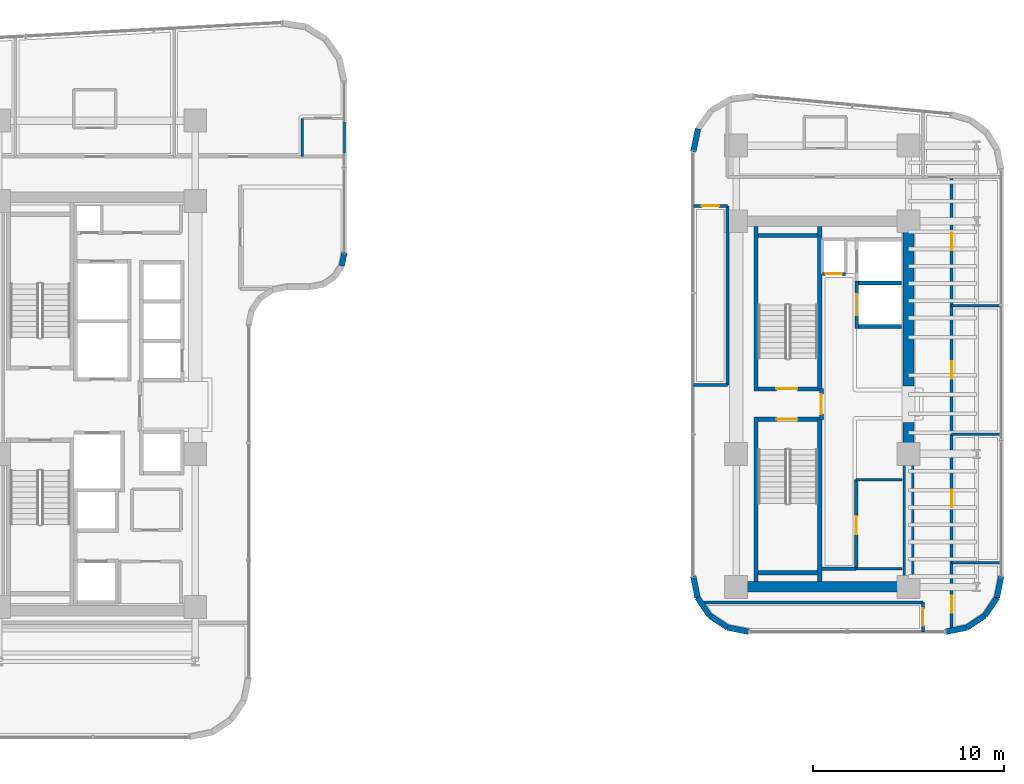
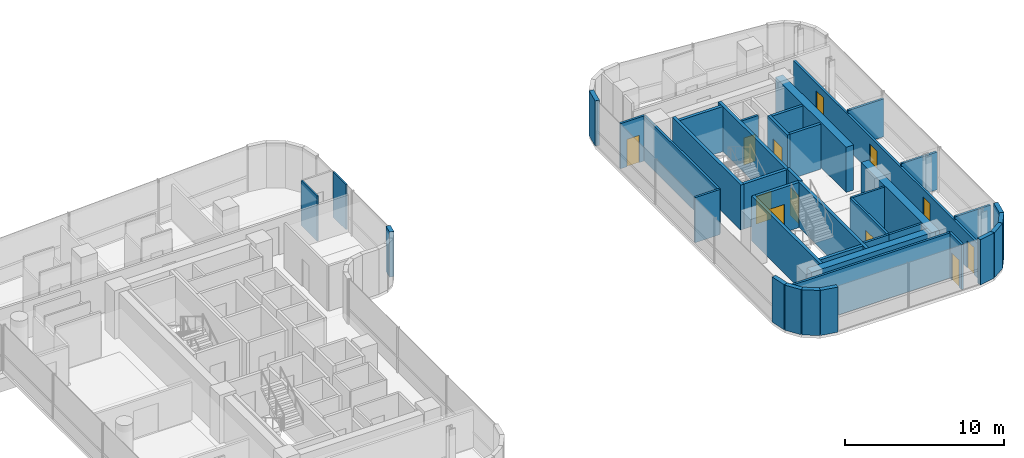
# One storey, part 27 of 33: 41 walls, 12 doors, 12 openings.
"""IFC4 building model written with IfcOpenShell, lengths in metres."""

from ifc_helpers import new_model, si_unit, direction, frame, frame_2d, origin, place, context, subcontext, project, spatial, rectangle, extrude, material, layer, layer_set, type_object, element, fill, save


model = new_model("IFC4")

# Units and contexts
model_context = context("Model", 3, precision=1e-05, world=origin(), true_north=direction((0.0, 1.0)))
body_context = subcontext(model_context, "Body", "Model", "MODEL_VIEW")
ifc_project = project(units=[si_unit("LENGTHUNIT", "METRE"), si_unit("AREAUNIT", "SQUARE_METRE"), si_unit("VOLUMEUNIT", "CUBIC_METRE"), si_unit("PLANEANGLEUNIT", "RADIAN"), si_unit("MASSUNIT", "GRAM", prefix="KILO")], contexts=[model_context])

# Site, building, storey
site_placement = place(None, origin())
site = spatial("IfcSite", under=ifc_project, at=site_placement, CompositionType="ELEMENT")
building_placement = place(site_placement, origin())
building = spatial("IfcBuilding", under=site, at=building_placement, Name="Valdorenza Pilgrim Sanctuary Tower", CompositionType="ELEMENT")
storey_placement = place(building_placement, frame((0.0, 0.0, 157.5)))
storey = spatial("IfcBuildingStorey", under=building, at=storey_placement, Name="L40", CompositionType="ELEMENT", Elevation=157.5)

# Wall, opening, door
ifc_material_1 = material(Name="Acoustic twin-stud gypsum partition", Category="gypsum")
ifc_layer_1 = layer(ifc_material_1, 0.159912109375, Name="Acoustic twin-stud gypsum partition")
ifc_layer_set_1 = layer_set([ifc_layer_1], Name="Acoustic twin-stud gypsum partition")
wall_type_1 = type_object("IfcWallType", Name="WAL-COR-160", PredefinedType="PARTITIONING", material=ifc_layer_set_1)
wall_1_placement = place(storey_placement, frame((20.35009765625, 6.800048828125, 0.0), z_axis=(0.0, 0.0, 1.0), x_axis=(1.0, 0.0, 0.0)))
wall_1 = element("IfcWall", 1, at=wall_1_placement, inside=storey, type_object=wall_type_1, Name="L40 Core B Riser South Wall", PredefinedType="PARTITIONING", context=body_context, shape_type="SweptSolid", body=[
    extrude(rectangle(XDim=1.199951171875, YDim=0.159912109375, at=frame_2d((0.60009765625, 0.0))), origin(), (0.0, 0.0, 1.0), 3.4599609375),
])
opening_1_placement = place(wall_1_placement, frame((0.175048828125, 0.0, 0.0)))
opening_1 = element("IfcOpeningElement", 2, at=opening_1_placement, cuts=wall_1, Name="Opening DR-RS1", PredefinedType="OPENING", context=body_context, shape_type="SweptSolid", body=[
    extrude(rectangle(XDim=0.85009765625, YDim=2.050048828125, at=frame_2d((0.425048828125, 1.02490234375))), frame((0.0, 0.0947265625, 0.0), z_axis=(0.0, -1.0, 0.0), x_axis=(1.0, 0.0, 0.0)), (0.0, 0.0, 1.0), 0.189697265625),
])
ifc_material_2 = material(Name="Painted galvanized steel", Category="steel")
door_type_1 = type_object("IfcDoorType", Name="DR-RSR-850", OperationType="NOTDEFINED", PredefinedType="DOOR", material=ifc_material_2)
door_1_placement = place(opening_1_placement, origin())
door_1 = element("IfcDoor", 3, at=door_1_placement, inside=storey, type_object=door_type_1, Name="L40 Core B Electrical Riser Door", OperationType="SINGLE_SWING_RIGHT", OverallHeight=2.050048828125, OverallWidth=0.85009765625, PredefinedType="DOOR", context=body_context, shape_type="SweptSolid", body=[
    extrude(rectangle(XDim=0.85009765625, YDim=2.050048828125, at=frame_2d((0.425048828125, 1.02490234375))), frame((0.0, 0.02490234375, 0.0), z_axis=(0.0, -1.0, 0.0), x_axis=(1.0, 0.0, 0.0)), (0.0, 0.0, 1.0), 0.050048828125),
])
fill(opening_1, door_1)

# Wall
wall_2_placement = place(storey_placement, frame((20.300048828125, -8.60009765625, 0.0), z_axis=(0.0, 0.0, 1.0), x_axis=(1.0, 0.0, 0.0)))
element("IfcWall", 4, at=wall_2_placement, inside=storey, type_object=wall_type_1, Name="L40 Core B Lift Hall South End Wall", PredefinedType="PARTITIONING", context=body_context, shape_type="SweptSolid", body=[
    extrude(rectangle(XDim=1.820068359375, YDim=0.159912109375, at=frame_2d((0.91015625, 0.0))), origin(), (0.0, 0.0, 1.0), 3.4599609375),
])

# Wall, opening, door
wall_3_placement = place(storey_placement, frame((22.1201171875, -8.60009765625, 0.0), z_axis=(0.0, 0.0, 1.0), x_axis=(0.0, 1.0, 0.0)))
wall_3 = element("IfcWall", 5, at=wall_3_placement, inside=storey, type_object=wall_type_1, Name="L40 Core B Freed Shaft West Wall", PredefinedType="PARTITIONING", context=body_context, shape_type="SweptSolid", body=[
    extrude(rectangle(XDim=4.650146484375, YDim=0.159912109375, at=frame_2d((2.3251953125, 0.0))), origin(), (0.0, 0.0, 1.0), 3.4599609375),
])
opening_2_placement = place(wall_3_placement, frame((1.800048828125, 0.0, 0.0)))
opening_2 = element("IfcOpeningElement", 6, at=opening_2_placement, cuts=wall_3, Name="Opening DR-UN1", PredefinedType="OPENING", context=body_context, shape_type="SweptSolid", body=[
    extrude(rectangle(XDim=0.949951171875, YDim=2.14990234375, at=frame_2d((0.47509765625, 1.074951171875))), frame((0.0, 0.0947265625, 0.0), z_axis=(0.0, -1.0, 0.0), x_axis=(1.0, 0.0, 0.0)), (0.0, 0.0, 1.0), 0.189697265625),
])
ifc_material_3 = material(Name="Solid-core European oak timber", Category="wood")
door_type_2 = type_object("IfcDoorType", Name="DR-UNIT-950", OperationType="NOTDEFINED", PredefinedType="DOOR", material=ifc_material_3)
door_2_placement = place(opening_2_placement, origin())
door_2 = element("IfcDoor", 7, at=door_2_placement, inside=storey, type_object=door_type_2, Name="L40 East Core Linen Store Door", OperationType="SINGLE_SWING_LEFT", OverallHeight=2.14990234375, OverallWidth=0.949951171875, PredefinedType="DOOR", context=body_context, shape_type="SweptSolid", body=[
    extrude(rectangle(XDim=0.949951171875, YDim=2.14990234375, at=frame_2d((0.47509765625, 1.074951171875))), frame((0.0, 0.02490234375, 0.0), z_axis=(0.0, -1.0, 0.0), x_axis=(1.0, 0.0, 0.0)), (0.0, 0.0, 1.0), 0.050048828125),
])
fill(opening_2, door_2)

wall_4_placement = place(storey_placement, frame((25.60009765625, -11.889892578125, 0.0), z_axis=(0.0, 0.0, 1.0), x_axis=(0.0, 1.0, 0.0)))
wall_4 = element("IfcWall", 8, at=wall_4_placement, inside=storey, type_object=wall_type_1, Name="L40 Wing B South-East Wall", PredefinedType="PARTITIONING", context=body_context, shape_type="SweptSolid", body=[
    extrude(rectangle(XDim=1.539794921875, YDim=0.159912109375, at=frame_2d((0.77001953125, 0.0))), origin(), (0.0, 0.0, 1.0), 3.4599609375),
])
opening_3_placement = place(wall_4_placement, frame((0.320068359375, 0.0, 0.0)))
opening_3 = element("IfcOpeningElement", 9, at=opening_3_placement, cuts=wall_4, Name="Opening DR-RM1", PredefinedType="OPENING", context=body_context, shape_type="SweptSolid", body=[
    extrude(rectangle(XDim=0.89990234375, YDim=2.10009765625, at=frame_2d((0.449951171875, 1.050048828125))), frame((0.0, 0.0947265625, 0.0), z_axis=(0.0, -1.0, 0.0), x_axis=(1.0, 0.0, 0.0)), (0.0, 0.0, 1.0), 0.189697265625),
])
door_type_3 = type_object("IfcDoorType", Name="DR-ROOM-900", OperationType="NOTDEFINED", PredefinedType="DOOR", material=ifc_material_3)
door_3_placement = place(opening_3_placement, origin())
door_3 = element("IfcDoor", 10, at=door_3_placement, inside=storey, type_object=door_type_3, Name="L40 Sacred Manuscript Archive L40-BS Door", OperationType="SINGLE_SWING_RIGHT", OverallHeight=2.10009765625, OverallWidth=0.89990234375, PredefinedType="DOOR", context=body_context, shape_type="SweptSolid", body=[
    extrude(rectangle(XDim=0.89990234375, YDim=2.10009765625, at=frame_2d((0.449951171875, 1.050048828125))), frame((0.0, 0.02490234375, 0.0), z_axis=(0.0, -1.0, 0.0), x_axis=(1.0, 0.0, 0.0)), (0.0, 0.0, 1.0), 0.050048828125),
])
fill(opening_3, door_3)

# Wall
wall_5_placement = place(storey_placement, frame((14.14599609375, -10.35009765625, 0.0), z_axis=(0.0, 0.0, 1.0), x_axis=(1.0, 0.0, 0.0)))
element("IfcWall", 11, at=wall_5_placement, inside=storey, type_object=wall_type_1, Name="L40 Wing B South Closure", PredefinedType="PARTITIONING", context=body_context, shape_type="SweptSolid", body=[
    extrude(rectangle(XDim=11.4541015625, YDim=0.159912109375, at=frame_2d((5.72705078125, 0.0))), origin(), (0.0, 0.0, 1.0), 3.4599609375),
])

# Wall, openings, doors
wall_6_placement = place(storey_placement, frame((27.10009765625, -11.70068359375, 0.0), z_axis=(0.0, 0.0, 1.0), x_axis=(0.0, 1.0, 0.0)))
wall_6 = element("IfcWall", 12, at=wall_6_placement, inside=storey, type_object=wall_type_1, Name="L40 Wing B East Corridor Wall", PredefinedType="PARTITIONING", context=body_context, shape_type="SweptSolid", body=[
    extrude(rectangle(XDim=23.55078125, YDim=0.159912109375, at=frame_2d((11.775390625, 0.0))), origin(), (0.0, 0.0, 1.0), 2.666015625),
])
opening_4_placement = place(wall_6_placement, frame((0.800048828125, 0.0, 0.0)))
opening_4 = element("IfcOpeningElement", 13, at=opening_4_placement, cuts=wall_6, Name="Opening DR-RM1", PredefinedType="OPENING", context=body_context, shape_type="SweptSolid", body=[
    extrude(rectangle(XDim=0.89990234375, YDim=2.10009765625, at=frame_2d((0.449951171875, 1.050048828125))), frame((0.0, 0.0947265625, 0.0), z_axis=(0.0, -1.0, 0.0), x_axis=(1.0, 0.0, 0.0)), (0.0, 0.0, 1.0), 0.189697265625),
])
opening_5_placement = place(wall_6_placement, frame((6.320068359375, 0.0, 0.0)))
opening_5 = element("IfcOpeningElement", 14, at=opening_5_placement, cuts=wall_6, Name="Opening DR-RM1", PredefinedType="OPENING", context=body_context, shape_type="SweptSolid", body=[
    extrude(rectangle(XDim=0.89990234375, YDim=2.10009765625, at=frame_2d((0.449951171875, 1.050048828125))), frame((0.0, 0.0947265625, 0.0), z_axis=(0.0, -1.0, 0.0), x_axis=(1.0, 0.0, 0.0)), (0.0, 0.0, 1.0), 0.189697265625),
])
opening_6_placement = place(wall_6_placement, frame((13.031982421875, 0.0, 0.0)))
opening_6 = element("IfcOpeningElement", 15, at=opening_6_placement, cuts=wall_6, Name="Opening DR-RM1", PredefinedType="OPENING", context=body_context, shape_type="SweptSolid", body=[
    extrude(rectangle(XDim=0.89990234375, YDim=2.10009765625, at=frame_2d((0.449951171875, 1.050048828125))), frame((0.0, 0.0947265625, 0.0), z_axis=(0.0, -1.0, 0.0), x_axis=(1.0, 0.0, 0.0)), (0.0, 0.0, 1.0), 0.189697265625),
])
opening_7_placement = place(wall_6_placement, frame((19.7451171875, 0.0, 0.0)))
opening_7 = element("IfcOpeningElement", 16, at=opening_7_placement, cuts=wall_6, Name="Opening DR-RM1", PredefinedType="OPENING", context=body_context, shape_type="SweptSolid", body=[
    extrude(rectangle(XDim=0.89990234375, YDim=2.10009765625, at=frame_2d((0.449951171875, 1.050048828125))), frame((0.0, 0.0947265625, 0.0), z_axis=(0.0, -1.0, 0.0), x_axis=(1.0, 0.0, 0.0)), (0.0, 0.0, 1.0), 0.189697265625),
])
door_4_placement = place(opening_4_placement, origin())
door_4 = element("IfcDoor", 17, at=door_4_placement, inside=storey, type_object=door_type_3, Name="L40 East Sanctuary Scholar Office L40-EG1 Door", OperationType="SINGLE_SWING_RIGHT", OverallHeight=2.10009765625, OverallWidth=0.89990234375, PredefinedType="DOOR", context=body_context, shape_type="SweptSolid", body=[
    extrude(rectangle(XDim=0.89990234375, YDim=2.10009765625, at=frame_2d((0.449951171875, 1.050048828125))), frame((0.0, 0.02490234375, 0.0), z_axis=(0.0, -1.0, 0.0), x_axis=(1.0, 0.0, 0.0)), (0.0, 0.0, 1.0), 0.050048828125),
])
fill(opening_4, door_4)
door_5_placement = place(opening_5_placement, frame((0.89990234375, 0.0, 0.0), z_axis=(0.0, 0.0, 1.0), x_axis=(-1.0, 0.0, 0.0)))
door_5 = element("IfcDoor", 18, at=door_5_placement, inside=storey, type_object=door_type_3, Name="L40 East Sanctuary Scholar Office L40-EG2 Door", OperationType="SINGLE_SWING_LEFT", OverallHeight=2.10009765625, OverallWidth=0.89990234375, PredefinedType="DOOR", context=body_context, shape_type="SweptSolid", body=[
    extrude(rectangle(XDim=0.89990234375, YDim=2.10009765625, at=frame_2d((0.449951171875, 1.050048828125))), frame((0.0, 0.02490234375, 0.0), z_axis=(0.0, -1.0, 0.0), x_axis=(1.0, 0.0, 0.0)), (0.0, 0.0, 1.0), 0.050048828125),
])
fill(opening_5, door_5)
door_6_placement = place(opening_6_placement, origin())
door_6 = element("IfcDoor", 19, at=door_6_placement, inside=storey, type_object=door_type_3, Name="L40 East Sanctuary Scholar Office L40-EG3 Door", OperationType="SINGLE_SWING_RIGHT", OverallHeight=2.10009765625, OverallWidth=0.89990234375, PredefinedType="DOOR", context=body_context, shape_type="SweptSolid", body=[
    extrude(rectangle(XDim=0.89990234375, YDim=2.10009765625, at=frame_2d((0.449951171875, 1.050048828125))), frame((0.0, 0.02490234375, 0.0), z_axis=(0.0, -1.0, 0.0), x_axis=(1.0, 0.0, 0.0)), (0.0, 0.0, 1.0), 0.050048828125),
])
fill(opening_6, door_6)
door_7_placement = place(opening_7_placement, frame((0.89990234375, 0.0, 0.0), z_axis=(0.0, 0.0, 1.0), x_axis=(-1.0, 0.0, 0.0)))
door_7 = element("IfcDoor", 20, at=door_7_placement, inside=storey, type_object=door_type_3, Name="L40 East Sanctuary Scholar Office L40-EG4 Door", OperationType="SINGLE_SWING_LEFT", OverallHeight=2.10009765625, OverallWidth=0.89990234375, PredefinedType="DOOR", context=body_context, shape_type="SweptSolid", body=[
    extrude(rectangle(XDim=0.89990234375, YDim=2.10009765625, at=frame_2d((0.449951171875, 1.050048828125))), frame((0.0, 0.02490234375, 0.0), z_axis=(0.0, -1.0, 0.0), x_axis=(1.0, 0.0, 0.0)), (0.0, 0.0, 1.0), 0.050048828125),
])
fill(opening_7, door_7)

# Wall, opening, door
wall_7_placement = place(storey_placement, frame((13.610107421875, 10.35009765625, 0.0), z_axis=(0.0, 0.0, 1.0), x_axis=(1.0, 0.0, 0.0)))
wall_7 = element("IfcWall", 21, at=wall_7_placement, inside=storey, type_object=wall_type_1, Name="L40 Courtyard Overlook North Wall", PredefinedType="PARTITIONING", context=body_context, shape_type="SweptSolid", body=[
    extrude(rectangle(XDim=1.789794921875, YDim=0.159912109375, at=frame_2d((0.89501953125, 0.0))), origin(), (0.0, 0.0, 1.0), 3.4599609375),
])
opening_8_placement = place(wall_7_placement, frame((0.449951171875, 0.0, 0.0)))
opening_8 = element("IfcOpeningElement", 22, at=opening_8_placement, cuts=wall_7, Name="Opening DR-RM1", PredefinedType="OPENING", context=body_context, shape_type="SweptSolid", body=[
    extrude(rectangle(XDim=0.89990234375, YDim=2.10009765625, at=frame_2d((0.449951171875, 1.050048828125))), frame((0.0, 0.0947265625, 0.0), z_axis=(0.0, -1.0, 0.0), x_axis=(1.0, 0.0, 0.0)), (0.0, 0.0, 1.0), 0.189697265625),
])
door_8_placement = place(opening_8_placement, origin())
door_8 = element("IfcDoor", 23, at=door_8_placement, inside=storey, type_object=door_type_3, Name="L40 Courtyard Overlook Salon Door", OperationType="SINGLE_SWING_RIGHT", OverallHeight=2.10009765625, OverallWidth=0.89990234375, PredefinedType="DOOR", context=body_context, shape_type="SweptSolid", body=[
    extrude(rectangle(XDim=0.89990234375, YDim=2.10009765625, at=frame_2d((0.449951171875, 1.050048828125))), frame((0.0, 0.02490234375, 0.0), z_axis=(0.0, -1.0, 0.0), x_axis=(1.0, 0.0, 0.0)), (0.0, 0.0, 1.0), 0.050048828125),
])
fill(opening_8, door_8)

# Walls
wall_8_placement = place(storey_placement, frame((15.39990234375, 1.0, 0.0), z_axis=(0.0, 0.0, 1.0), x_axis=(0.0, 1.0, 0.0)))
element("IfcWall", 24, at=wall_8_placement, inside=storey, type_object=wall_type_1, Name="L40 Courtyard Overlook East Wall", PredefinedType="PARTITIONING", context=body_context, shape_type="SweptSolid", body=[
    extrude(rectangle(XDim=9.35009765625, YDim=0.159912109375, at=frame_2d((4.675048828125, 0.0))), origin(), (0.0, 0.0, 1.0), 3.4599609375),
])
wall_9_placement = place(storey_placement, frame((13.610107421875, 1.0, 0.0), z_axis=(0.0, 0.0, 1.0), x_axis=(1.0, 0.0, 0.0)))
element("IfcWall", 25, at=wall_9_placement, inside=storey, type_object=wall_type_1, Name="L40 Courtyard Overlook South Wall", PredefinedType="PARTITIONING", context=body_context, shape_type="SweptSolid", body=[
    extrude(rectangle(XDim=1.789794921875, YDim=0.159912109375, at=frame_2d((0.89501953125, 0.0))), origin(), (0.0, 0.0, 1.0), 3.4599609375),
])
ifc_material_4 = material(Name="Concrete C50/60", Category="concrete")
ifc_layer_2 = layer(ifc_material_4, 0.550048828125, Name="Concrete C50/60")
ifc_layer_set_2 = layer_set([ifc_layer_2], Name="Concrete C50/60")
wall_type_2 = type_object("IfcWallType", Name="WAL-COR-550", PredefinedType="SHEAR", material=ifc_layer_set_2)
for number, where, z_axis, x_axis, name in (
    (26, (24.85009765625, -9.824951171875, 0.0), (0.0, 0.0, 1.0), (0.0, 1.0, 0.0), "L40 Split Core B Shear Wall ES"),
    (27, (24.85009765625, 0.949951171875, 0.0), (0.0, 0.0, 1.0), (0.0, 1.0, 0.0), "L40 Split Core B Shear Wall EN"),
):
    element("IfcWall", number, at=place(storey_placement, frame(where, z_axis=z_axis, x_axis=x_axis)), inside=storey, type_object=wall_type_2, Name=name, PredefinedType="SHEAR", context=body_context, shape_type="SweptSolid", body=[
        extrude(rectangle(XDim=8.875, YDim=0.550048828125, at=frame_2d((4.4375, 0.0))), origin(), (0.0, 0.0, 1.0), 3.4599609375),
    ])
wall_10_placement = place(storey_placement, frame((15.85009765625, -9.550048828125, 0.0), z_axis=(0.0, 0.0, 1.0), x_axis=(1.0, 0.0, 0.0)))
element("IfcWall", 28, at=wall_10_placement, inside=storey, type_object=wall_type_2, Name="L40 Split Core B Shear Wall S", PredefinedType="SHEAR", context=body_context, shape_type="SweptSolid", body=[
    extrude(rectangle(XDim=9.0, YDim=0.550048828125, at=frame_2d((4.5, 0.0))), origin(), (0.0, 0.0, 1.0), 3.4599609375),
])
ifc_material_5 = material(Name="Honed travertine limestone", Category="masonry")
ifc_layer_3 = layer(ifc_material_5, 0.300048828125, Name="Honed travertine limestone")
ifc_layer_set_3 = layer_set([ifc_layer_3], Name="Honed travertine limestone")
wall_type_3 = type_object("IfcWallType", Name="WAL-EXT-300", PredefinedType="SOLIDWALL", material=ifc_layer_set_3)
wall_11_placement = place(storey_placement, frame((-4.610107421875, 7.910888671875, 0.0), z_axis=(0.0, 0.0, 1.0), x_axis=(-0.194989739953, -0.980805282058, 0.0)))
element("IfcWall", 29, at=wall_11_placement, inside=storey, type_object=wall_type_3, Name="L40 Rounded Wind-Corner Stone Pier 12", PredefinedType="SOLIDWALL", context=body_context, shape_type="SweptSolid", body=[
    extrude(rectangle(XDim=0.708740234375, YDim=0.300048828125, at=frame_2d((0.3544921875, 0.0))), origin(), (0.0, 0.0, 1.0), 3.4599609375),
])
wall_12_placement = place(storey_placement, frame((13.610107421875, 13.19970703125, 0.0), z_axis=(0.0, 0.0, 1.0), x_axis=(0.206133180315, 0.978523945529, 0.0)))
element("IfcWall", 30, at=wall_12_placement, inside=storey, type_object=wall_type_3, Name="L40 Rounded Wind-Corner Stone Pier 2", PredefinedType="SOLIDWALL", context=body_context, shape_type="SweptSolid", body=[
    extrude(rectangle(XDim=1.203369140625, YDim=0.300048828125, at=frame_2d((0.6015625, 0.0))), origin(), (0.0, 0.0, 1.0), 3.4599609375),
])
wall_13_placement = place(storey_placement, frame((29.68994140625, -8.9892578125, 0.0), z_axis=(0.0, 0.0, 1.0), x_axis=(-0.195043173023, -0.980794657743, 0.0)))
element("IfcWall", 31, at=wall_13_placement, inside=storey, type_object=wall_type_3, Name="L40 Rounded Wind-Corner Stone Pier 12", PredefinedType="SOLIDWALL", context=body_context, shape_type="SweptSolid", body=[
    extrude(rectangle(XDim=1.137939453125, YDim=0.300048828125, at=frame_2d((0.56884765625, 0.0))), origin(), (0.0, 0.0, 1.0), 3.4599609375),
])
for number, where, z_axis, x_axis, name in (
    (32, (29.468017578125, -10.105224609375, 0.0), (0.0, 0.0, 1.0), (-0.555599979619, -0.831449735491, 0.0), "L40 Rounded Wind-Corner Stone Pier 13"),
    (33, (28.842041015625, -11.0419921875, 0.0), (0.0, 0.0, 1.0), (-0.831449735491, -0.555599979619, 0.0), "L40 Rounded Wind-Corner Stone Pier 14"),
):
    element("IfcWall", number, at=place(storey_placement, frame(where, z_axis=z_axis, x_axis=x_axis)), inside=storey, type_object=wall_type_3, Name=name, PredefinedType="SOLIDWALL", context=body_context, shape_type="SweptSolid", body=[
        extrude(rectangle(XDim=1.126708984375, YDim=0.300048828125, at=frame_2d((0.5634765625, 0.0))), origin(), (0.0, 0.0, 1.0), 3.4599609375),
    ])
for number, where, z_axis, x_axis, name in (
    (34, (27.9052734375, -11.66796875, 0.0), (0.0, 0.0, 1.0), (-0.980794657743, -0.195043173023, 0.0), "L40 Rounded Wind-Corner Stone Pier 15"),
    (35, (16.5107421875, -11.889892578125, 0.0), (0.0, 0.0, 1.0), (-0.980794657743, 0.195043173023, 0.0), "L40 Rounded Wind-Corner Stone Pier 17"),
):
    element("IfcWall", number, at=place(storey_placement, frame(where, z_axis=z_axis, x_axis=x_axis)), inside=storey, type_object=wall_type_3, Name=name, PredefinedType="SOLIDWALL", context=body_context, shape_type="SweptSolid", body=[
        extrude(rectangle(XDim=1.137939453125, YDim=0.300048828125, at=frame_2d((0.56884765625, 0.0))), origin(), (0.0, 0.0, 1.0), 3.4599609375),
    ])
for number, where, z_axis, x_axis, name in (
    (36, (15.394775390625, -11.66796875, 0.0), (0.0, 0.0, 1.0), (-0.831449735491, 0.555599979619, 0.0), "L40 Rounded Wind-Corner Stone Pier 18"),
    (37, (14.4580078125, -11.0419921875, 0.0), (0.0, 0.0, 1.0), (-0.555599979619, 0.831449735491, 0.0), "L40 Rounded Wind-Corner Stone Pier 19"),
):
    element("IfcWall", number, at=place(storey_placement, frame(where, z_axis=z_axis, x_axis=x_axis)), inside=storey, type_object=wall_type_3, Name=name, PredefinedType="SOLIDWALL", context=body_context, shape_type="SweptSolid", body=[
        extrude(rectangle(XDim=1.126708984375, YDim=0.300048828125, at=frame_2d((0.5634765625, 0.0))), origin(), (0.0, 0.0, 1.0), 3.4599609375),
    ])
wall_14_placement = place(storey_placement, frame((13.83203125, -10.105224609375, 0.0), z_axis=(0.0, 0.0, 1.0), x_axis=(-0.195043173023, 0.980794657743, 0.0)))
element("IfcWall", 38, at=wall_14_placement, inside=storey, type_object=wall_type_3, Name="L40 Rounded Wind-Corner Stone Pier 20", PredefinedType="SOLIDWALL", context=body_context, shape_type="SweptSolid", body=[
    extrude(rectangle(XDim=1.137939453125, YDim=0.300048828125, at=frame_2d((0.56884765625, 0.0))), origin(), (0.0, 0.0, 1.0), 3.4599609375),
])

# Wall, opening, door
ifc_material_6 = material(Name="Gypsum shaftwall partition", Category="gypsum")
ifc_layer_4 = layer(ifc_material_6, 0.199951171875, Name="Gypsum shaftwall partition")
ifc_layer_set_4 = layer_set([ifc_layer_4], Name="Gypsum shaftwall partition")
wall_type_4 = type_object("IfcWallType", Name="WAL-FFL-200", PredefinedType="PARTITIONING", material=ifc_layer_set_4)
wall_15_placement = place(storey_placement, frame((20.300048828125, -0.820068359375, 0.0), z_axis=(0.0, 0.0, 1.0), x_axis=(0.0, 1.0, 0.0)))
wall_15 = element("IfcWall", 39, at=wall_15_placement, inside=storey, type_object=wall_type_4, Name="L40 Core B Firefighting Lobby East Wall", PredefinedType="PARTITIONING", context=body_context, shape_type="SweptSolid", body=[
    extrude(rectangle(XDim=1.64013671875, YDim=0.199951171875, at=frame_2d((0.820068359375, 0.0))), origin(), (0.0, 0.0, 1.0), 3.4599609375),
])
opening_9_placement = place(wall_15_placement, frame((0.294921875, 0.0, 0.0)))
opening_9 = element("IfcOpeningElement", 40, at=opening_9_placement, cuts=wall_15, Name="Opening DR-FL1", PredefinedType="OPENING", context=body_context, shape_type="SweptSolid", body=[
    extrude(rectangle(XDim=1.050048828125, YDim=2.14990234375, at=frame_2d((0.52490234375, 1.074951171875))), frame((0.0, 0.11474609375, 0.0), z_axis=(0.0, -1.0, 0.0), x_axis=(1.0, 0.0, 0.0)), (0.0, 0.0, 1.0), 0.229736328125),
])
door_type_4 = type_object("IfcDoorType", Name="DR-FFL-1050", OperationType="NOTDEFINED", PredefinedType="DOOR", material=ifc_material_2)
door_9_placement = place(opening_9_placement, frame((1.050048828125, 0.0, 0.0), z_axis=(0.0, 0.0, 1.0), x_axis=(-1.0, 0.0, 0.0)))
door_9 = element("IfcDoor", 41, at=door_9_placement, inside=storey, type_object=door_type_4, Name="L40 Core B Firefighting Lobby Door", OperationType="SINGLE_SWING_LEFT", OverallHeight=2.14990234375, OverallWidth=1.050048828125, PredefinedType="DOOR", context=body_context, shape_type="SweptSolid", body=[
    extrude(rectangle(XDim=1.050048828125, YDim=2.14990234375, at=frame_2d((0.52490234375, 1.074951171875))), frame((0.0, 0.02490234375, 0.0), z_axis=(0.0, -1.0, 0.0), x_axis=(1.0, 0.0, 0.0)), (0.0, 0.0, 1.0), 0.050048828125),
])
fill(opening_9, door_9)

# Walls
ifc_material_7 = material(Name="Moisture-resistant gypsum partition", Category="gypsum")
ifc_layer_5 = layer(ifc_material_7, 0.1201171875, Name="Moisture-resistant gypsum partition")
ifc_layer_set_5 = layer_set([ifc_layer_5], Name="Moisture-resistant gypsum partition")
wall_type_5 = type_object("IfcWallType", Name="WAL-INT-120", PredefinedType="PARTITIONING", material=ifc_layer_set_5)
wall_16_placement = place(storey_placement, frame((-6.81005859375, 12.919921875, 0.0), z_axis=(0.0, 0.0, 1.0), x_axis=(0.0, 1.0, 0.0)))
element("IfcWall", 42, at=wall_16_placement, inside=storey, type_object=wall_type_5, Name="L40 North Guest Room L40-N3 En-suite West Wall", PredefinedType="PARTITIONING", context=body_context, shape_type="SweptSolid", body=[
    extrude(rectangle(XDim=2.0, YDim=0.1201171875, at=frame_2d((1.0, 0.0))), origin(), (0.0, 0.0, 1.0), 3.4599609375),
])
wall_17_placement = place(storey_placement, frame((-4.610107421875, 13.1201171875, 0.0), z_axis=(0.0, 0.0, 1.0), x_axis=(0.0, 1.0, 0.0)))
element("IfcWall", 43, at=wall_17_placement, inside=storey, type_object=wall_type_5, Name="L40 NW-G3-ENS Enclosure Wall E", PredefinedType="PARTITIONING", context=body_context, shape_type="SweptSolid", body=[
    extrude(rectangle(XDim=1.619873046875, YDim=0.1201171875, at=frame_2d((0.81005859375, 0.0))), origin(), (0.0, 0.0, 1.0), 3.4599609375),
])

# Wall, opening, door
ifc_material_8 = material(Name="Autoclaved aerated concrete blockwork", Category="masonry")
ifc_layer_6 = layer(ifc_material_8, 0.199951171875, Name="Autoclaved aerated concrete blockwork")
ifc_layer_set_6 = layer_set([ifc_layer_6], Name="Autoclaved aerated concrete blockwork")
wall_type_6 = type_object("IfcWallType", Name="WAL-SHF-200", PredefinedType="MOVABLE", material=ifc_layer_set_6)
wall_18_placement = place(storey_placement, frame((22.14990234375, 3.949951171875, 0.0), z_axis=(0.0, 0.0, 1.0), x_axis=(0.0, 1.0, 0.0)))
wall_18 = element("IfcWall", 44, at=wall_18_placement, inside=storey, type_object=wall_type_6, Name="L40 Lift PL-07 Hoistway Wall West", PredefinedType="MOVABLE", context=body_context, shape_type="SweptSolid", body=[
    extrude(rectangle(XDim=2.47509765625, YDim=0.199951171875, at=frame_2d((1.237548828125, 0.0))), origin(), (0.0, 0.0, 1.0), 3.4599609375),
])
opening_10_placement = place(wall_18_placement, frame((0.6875, 0.0, 0.0)))
opening_10 = element("IfcOpeningElement", 45, at=opening_10_placement, cuts=wall_18, Name="Opening LD-01", PredefinedType="OPENING", context=body_context, shape_type="SweptSolid", body=[
    extrude(rectangle(XDim=1.10009765625, YDim=2.10009765625, at=frame_2d((0.550048828125, 1.050048828125))), frame((0.0, 0.11474609375, 0.0), z_axis=(0.0, -1.0, 0.0), x_axis=(1.0, 0.0, 0.0)), (0.0, 0.0, 1.0), 0.229736328125),
])
ifc_material_9 = material(Name="Brushed stainless steel Grade 316", Category="steel")
door_type_5 = type_object("IfcDoorType", Name="DR-LFT-1100", OperationType="DOUBLE_DOOR_SLIDING", PredefinedType="DOOR", material=ifc_material_9)
door_10_placement = place(opening_10_placement, origin())
door_10 = element("IfcDoor", 46, at=door_10_placement, inside=storey, type_object=door_type_5, Name="L40 Lift PL-07 Sliding Landing Door", OperationType="DOUBLE_DOOR_SLIDING", OverallHeight=2.10009765625, OverallWidth=1.10009765625, PredefinedType="DOOR", context=body_context, shape_type="SweptSolid", body=[
    extrude(rectangle(XDim=1.10009765625, YDim=2.10009765625, at=frame_2d((0.550048828125, 1.050048828125))), frame((0.0, 0.02490234375, 0.0), z_axis=(0.0, -1.0, 0.0), x_axis=(1.0, 0.0, 0.0)), (0.0, 0.0, 1.0), 0.050048828125),
])
fill(opening_10, door_10)

# Walls
for number, where, z_axis, x_axis, name in (
    (47, (22.25, 4.050048828125, 0.0), (0.0, 0.0, 1.0), (1.0, 0.0, 0.0), "L40 Lift PL-07 Hoistway Wall South"),
    (48, (22.25, 6.324951171875, 0.0), (0.0, 0.0, 1.0), (1.0, 0.0, 0.0), "L40 Lift PL-07 Hoistway Wall North"),
):
    element("IfcWall", number, at=place(storey_placement, frame(where, z_axis=z_axis, x_axis=x_axis)), inside=storey, type_object=wall_type_6, Name=name, PredefinedType="MOVABLE", context=body_context, shape_type="SweptSolid", body=[
        extrude(rectangle(XDim=2.22998046875, YDim=0.199951171875, at=frame_2d((1.114990234375, 0.0))), origin(), (0.0, 0.0, 1.0), 3.4599609375),
    ])
ifc_material_10 = material(Name="Concrete C40/50", Category="concrete")
ifc_layer_7 = layer(ifc_material_10, 0.219970703125, Name="Concrete C40/50")
ifc_layer_set_7 = layer_set([ifc_layer_7], Name="Concrete C40/50")
wall_type_7 = type_object("IfcWallType", Name="WAL-STR-SHF-220", PredefinedType="SHEAR", material=ifc_layer_set_7)
for number, where, z_axis, x_axis, name in (
    (49, (16.889892578125, 0.679931640625, 0.0), (0.0, 0.0, 1.0), (0.0, 1.0, 0.0), "L40 ST-B1 Structural Stairwell Wall W"),
    (50, (20.219970703125, 0.679931640625, 0.0), (0.0, 0.0, 1.0), (0.0, 1.0, 0.0), "L40 ST-B1 Structural Stairwell Wall E"),
):
    element("IfcWall", number, at=place(storey_placement, frame(where, z_axis=z_axis, x_axis=x_axis)), inside=storey, type_object=wall_type_7, Name=name, PredefinedType="SHEAR", context=body_context, shape_type="SweptSolid", body=[
        extrude(rectangle(XDim=8.594970703125, YDim=0.219970703125, at=frame_2d((4.29736328125, 0.0))), origin(), (0.0, 0.0, 1.0), 3.4599609375),
    ])

# Wall, opening, door
wall_19_placement = place(storey_placement, frame((17.0, 0.7900390625, 0.0), z_axis=(0.0, 0.0, 1.0), x_axis=(1.0, 0.0, 0.0)))
wall_19 = element("IfcWall", 51, at=wall_19_placement, inside=storey, type_object=wall_type_7, Name="L40 ST-B1 Structural Stairwell Wall S", PredefinedType="SHEAR", context=body_context, shape_type="SweptSolid", body=[
    extrude(rectangle(XDim=3.110107421875, YDim=0.219970703125, at=frame_2d((1.55517578125, 0.0))), origin(), (0.0, 0.0, 1.0), 3.4599609375),
])
opening_11_placement = place(wall_19_placement, frame((0.949951171875, 0.0, 0.0)))
opening_11 = element("IfcOpeningElement", 52, at=opening_11_placement, cuts=wall_19, Name="Opening DR-ST1", PredefinedType="OPENING", context=body_context, shape_type="SweptSolid", body=[
    extrude(rectangle(XDim=1.10009765625, YDim=2.14990234375, at=frame_2d((0.550048828125, 1.074951171875))), frame((0.0, 0.125, 0.0), z_axis=(0.0, -1.0, 0.0), x_axis=(1.0, 0.0, 0.0)), (0.0, 0.0, 1.0), 0.249755859375),
])
door_type_6 = type_object("IfcDoorType", Name="DR-STAIR-1100", OperationType="NOTDEFINED", PredefinedType="DOOR", material=ifc_material_2)
door_11_placement = place(opening_11_placement, origin())
door_11 = element("IfcDoor", 53, at=door_11_placement, inside=storey, type_object=door_type_6, Name="L40 Exit Stair ST-B1 Door", OperationType="SINGLE_SWING_RIGHT", OverallHeight=2.14990234375, OverallWidth=1.10009765625, PredefinedType="DOOR", context=body_context, shape_type="SweptSolid", body=[
    extrude(rectangle(XDim=1.10009765625, YDim=2.14990234375, at=frame_2d((0.550048828125, 1.074951171875))), frame((0.0, 0.02490234375, 0.0), z_axis=(0.0, -1.0, 0.0), x_axis=(1.0, 0.0, 0.0)), (0.0, 0.0, 1.0), 0.050048828125),
])
fill(opening_11, door_11)

# Walls
wall_20_placement = place(storey_placement, frame((17.0, 8.81005859375, 0.0), z_axis=(0.0, 0.0, 1.0), x_axis=(1.0, 0.0, 0.0)))
element("IfcWall", 54, at=wall_20_placement, inside=storey, type_object=wall_type_7, Name="L40 ST-B1 Structural Stairwell Wall N", PredefinedType="SHEAR", context=body_context, shape_type="SweptSolid", body=[
    extrude(rectangle(XDim=3.110107421875, YDim=0.219970703125, at=frame_2d((1.55517578125, 0.0))), origin(), (0.0, 0.0, 1.0), 3.4599609375),
])
for number, where, z_axis, x_axis, name in (
    (55, (16.889892578125, -9.27490234375, 0.0), (0.0, 0.0, 1.0), (0.0, 1.0, 0.0), "L40 ST-B2 Structural Stairwell Wall W"),
    (56, (20.219970703125, -9.27490234375, 0.0), (0.0, 0.0, 1.0), (0.0, 1.0, 0.0), "L40 ST-B2 Structural Stairwell Wall E"),
):
    element("IfcWall", number, at=place(storey_placement, frame(where, z_axis=z_axis, x_axis=x_axis)), inside=storey, type_object=wall_type_7, Name=name, PredefinedType="SHEAR", context=body_context, shape_type="SweptSolid", body=[
        extrude(rectangle(XDim=8.594970703125, YDim=0.219970703125, at=frame_2d((4.29736328125, 0.0))), origin(), (0.0, 0.0, 1.0), 3.4599609375),
    ])
wall_21_placement = place(storey_placement, frame((17.0, -8.81005859375, 0.0), z_axis=(0.0, 0.0, 1.0), x_axis=(1.0, 0.0, 0.0)))
element("IfcWall", 57, at=wall_21_placement, inside=storey, type_object=wall_type_7, Name="L40 ST-B2 Structural Stairwell Wall S", PredefinedType="SHEAR", context=body_context, shape_type="SweptSolid", body=[
    extrude(rectangle(XDim=3.110107421875, YDim=0.219970703125, at=frame_2d((1.55517578125, 0.0))), origin(), (0.0, 0.0, 1.0), 3.4599609375),
])

# Wall, opening, door
wall_22_placement = place(storey_placement, frame((17.0, -0.7900390625, 0.0), z_axis=(0.0, 0.0, 1.0), x_axis=(1.0, 0.0, 0.0)))
wall_22 = element("IfcWall", 58, at=wall_22_placement, inside=storey, type_object=wall_type_7, Name="L40 ST-B2 Structural Stairwell Wall N", PredefinedType="SHEAR", context=body_context, shape_type="SweptSolid", body=[
    extrude(rectangle(XDim=3.110107421875, YDim=0.219970703125, at=frame_2d((1.55517578125, 0.0))), origin(), (0.0, 0.0, 1.0), 3.4599609375),
])
opening_12_placement = place(wall_22_placement, frame((0.949951171875, 0.0, 0.0)))
opening_12 = element("IfcOpeningElement", 59, at=opening_12_placement, cuts=wall_22, Name="Opening DR-ST1", PredefinedType="OPENING", context=body_context, shape_type="SweptSolid", body=[
    extrude(rectangle(XDim=1.10009765625, YDim=2.14990234375, at=frame_2d((0.550048828125, 1.074951171875))), frame((0.0, 0.125, 0.0), z_axis=(0.0, -1.0, 0.0), x_axis=(1.0, 0.0, 0.0)), (0.0, 0.0, 1.0), 0.249755859375),
])
door_12_placement = place(opening_12_placement, frame((1.10009765625, 0.0, 0.0), z_axis=(0.0, 0.0, 1.0), x_axis=(-1.0, 0.0, 0.0)))
door_12 = element("IfcDoor", 60, at=door_12_placement, inside=storey, type_object=door_type_6, Name="L40 Exit Stair ST-B2 Door", OperationType="SINGLE_SWING_LEFT", OverallHeight=2.14990234375, OverallWidth=1.10009765625, PredefinedType="DOOR", context=body_context, shape_type="SweptSolid", body=[
    extrude(rectangle(XDim=1.10009765625, YDim=2.14990234375, at=frame_2d((0.550048828125, 1.074951171875))), frame((0.0, 0.02490234375, 0.0), z_axis=(0.0, -1.0, 0.0), x_axis=(1.0, 0.0, 0.0)), (0.0, 0.0, 1.0), 0.050048828125),
])
fill(opening_12, door_12)

# Walls
ifc_layer_8 = layer(ifc_material_1, 0.14990234375, Name="Acoustic twin-stud gypsum partition")
ifc_layer_set_8 = layer_set([ifc_layer_8], Name="Acoustic twin-stud gypsum partition")
wall_type_8 = type_object("IfcWallType", Name="WAL-UNT-150", PredefinedType="PARTITIONING", material=ifc_layer_set_8)
for number, where, z_axis, x_axis, name in (
    (61, (22.1201171875, -3.949951171875, 0.0), (0.0, 0.0, 1.0), (1.0, 0.0, 0.0), "L40 Core B Freed Shaft North Wall"),
    (62, (22.1201171875, -8.60009765625, 0.0), (0.0, 0.0, 1.0), (1.0, 0.0, 0.0), "L40 Core B Freed Shaft South Wall"),
):
    element("IfcWall", number, at=place(storey_placement, frame(where, z_axis=z_axis, x_axis=x_axis)), inside=storey, type_object=wall_type_8, Name=name, PredefinedType="PARTITIONING", context=body_context, shape_type="SweptSolid", body=[
        extrude(rectangle(XDim=2.3798828125, YDim=0.14990234375, at=frame_2d((1.18994140625, 0.0))), origin(), (0.0, 0.0, 1.0), 3.4599609375),
    ])
for number, where, z_axis, x_axis, name in (
    (63, (27.10009765625, -8.287109375, 0.0), (0.0, 0.0, 1.0), (1.0, 0.0, 0.0), "L40 East Wing Guest Demising 1"),
    (64, (27.10009765625, -1.574951171875, 0.0), (0.0, 0.0, 1.0), (1.0, 0.0, 0.0), "L40 East Wing Guest Demising 2"),
    (65, (27.10009765625, 5.137939453125, 0.0), (0.0, 0.0, 1.0), (1.0, 0.0, 0.0), "L40 East Wing Guest Demising 3"),
):
    element("IfcWall", number, at=place(storey_placement, frame(where, z_axis=z_axis, x_axis=x_axis)), inside=storey, type_object=wall_type_8, Name=name, PredefinedType="PARTITIONING", context=body_context, shape_type="SweptSolid", body=[
        extrude(rectangle(XDim=2.58984375, YDim=0.14990234375, at=frame_2d((1.294921875, 0.0))), origin(), (0.0, 0.0, 1.0), 2.89599609375),
    ])

save(model, "model.ifc")
